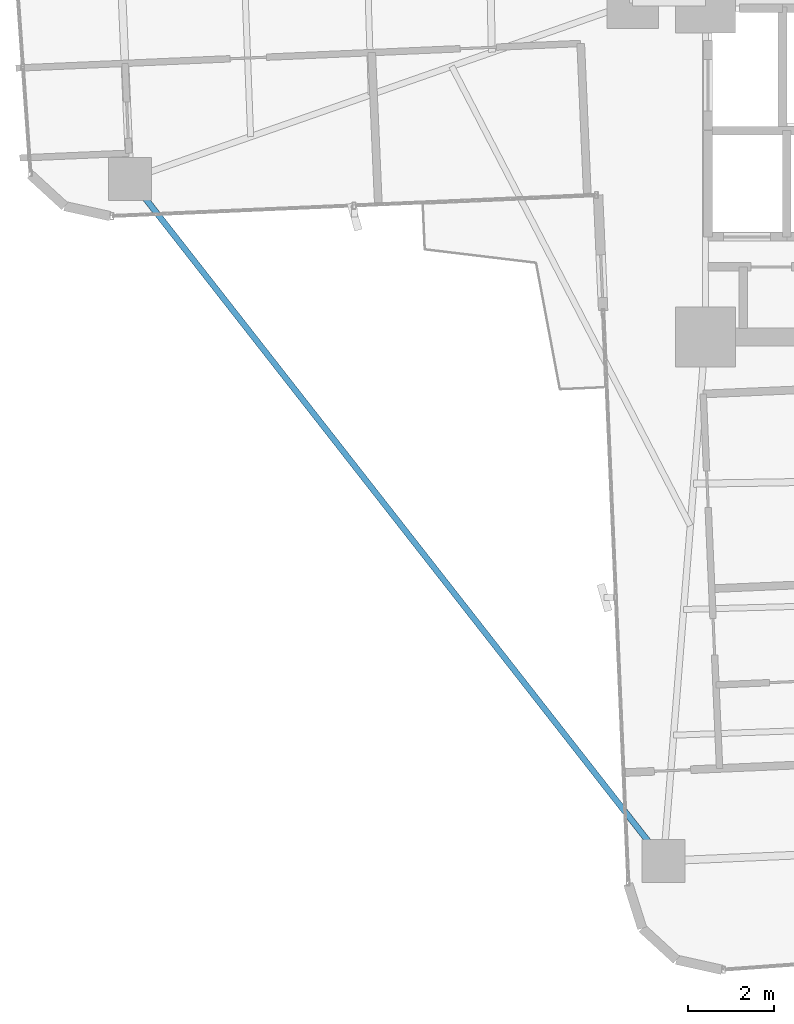
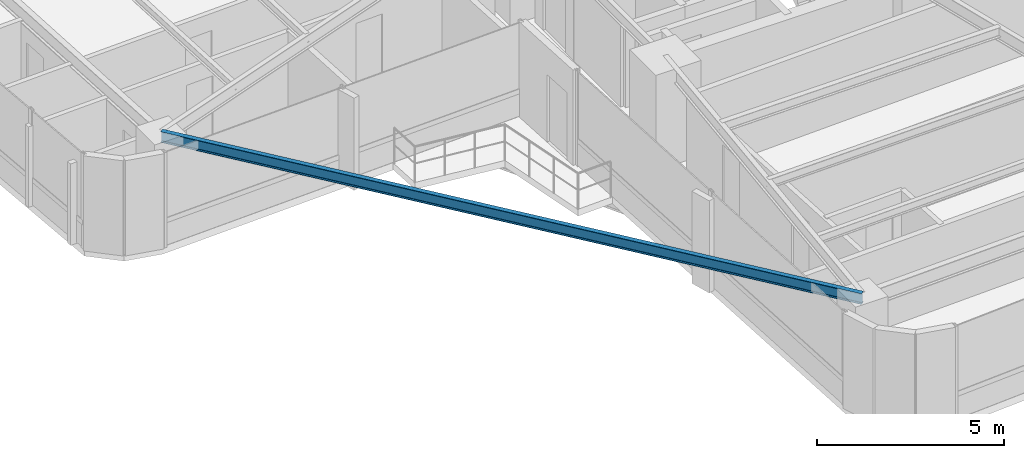
# One storey, part 3 of 26: 1 beam.
"""IFC4 building model written with IfcOpenShell, lengths in metres."""

from ifc_helpers import new_model, si_unit, direction, frame, origin, origin_2d, place, context, subcontext, project, spatial, i_section, extrude, source, transform, mapped, material, material_profile, profile_set, type_object, element, save


model = new_model("IFC4")

# Units and contexts
model_context = context("Model", 3, precision=1e-05, world=origin(), true_north=direction((0.0, 1.0)))
body_context = subcontext(model_context, "Body", "Model", "MODEL_VIEW")
ifc_project = project(units=[si_unit("LENGTHUNIT", "METRE"), si_unit("AREAUNIT", "SQUARE_METRE"), si_unit("VOLUMEUNIT", "CUBIC_METRE"), si_unit("PLANEANGLEUNIT", "RADIAN"), si_unit("MASSUNIT", "GRAM", prefix="KILO")], contexts=[model_context])

# Site, building, storey
site_placement = place(None, origin())
site = spatial("IfcSite", under=ifc_project, at=site_placement, CompositionType="ELEMENT")
building_placement = place(site_placement, origin())
building = spatial("IfcBuilding", under=site, at=building_placement, Name="Sahyath Konkavel Grand Hotel", CompositionType="ELEMENT")
storey_placement = place(building_placement, frame((0.0, 0.0, 86.85009765625)))
storey = spatial("IfcBuildingStorey", under=building, at=storey_placement, Name="L23", CompositionType="ELEMENT", Elevation=86.85009765625)

# Beam
ifc_material = material(Name="Steel E350", Category="steel")
ifc_material_profile = material_profile(ifc_material, i_section(OverallWidth=0.139892578125, OverallDepth=0.35009765625, WebThickness=0.008056640625, FlangeThickness=0.01416015625, FilletRadius=0.013916015625, at=origin_2d()), Name="ISMB 350")
ifc_profile_set = profile_set([ifc_material_profile], Name="Steel E350")
beam_type = type_object("IfcBeamType", Name="BM-ISMB350", PredefinedType="BEAM", material=ifc_profile_set)
shared_shape = source(origin(), body_context, "Body", "SweptSolid", [
    extrude(i_section(OverallWidth=0.139892578125, OverallDepth=0.35009765625, WebThickness=0.008056640625, FlangeThickness=0.01416015625, FilletRadius=0.013916015625, at=origin_2d()), origin(), (0.0, 0.0, 1.0), 20.215576171875),
])
beam_placement = place(storey_placement, frame((-17.232421875, -6.5078125, 2.934814453125), z_axis=(0.616176369687, -0.787608203004, 0.0), x_axis=(0.787608203004, 0.616176369687, 0.0)))
element("IfcBeam", 1, at=beam_placement, inside=storey, type_object=beam_type, Name="L23 Re-Entrant Tie Beam SW", PredefinedType="BEAM", context=body_context, shape_type="MappedRepresentation", body=[
    mapped(shared_shape, transform((0.0, 0.0, 0.0), scale=1.0)),
])

save(model, "model.ifc")
